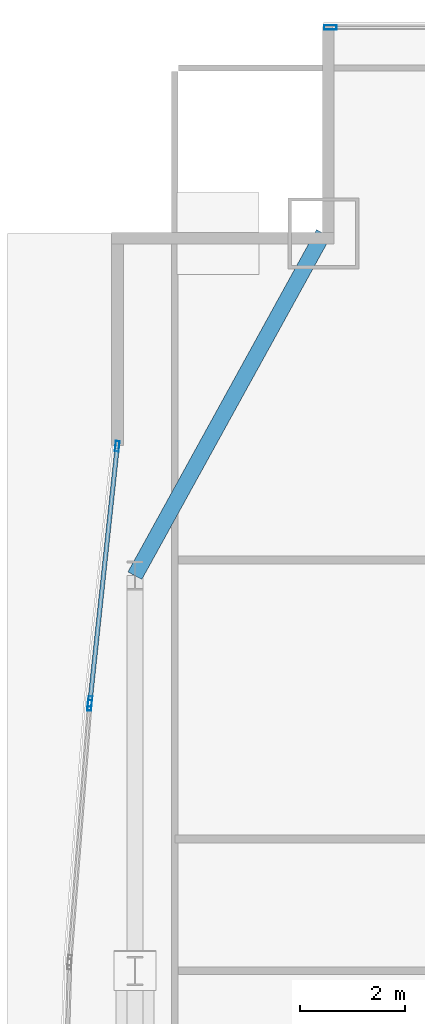
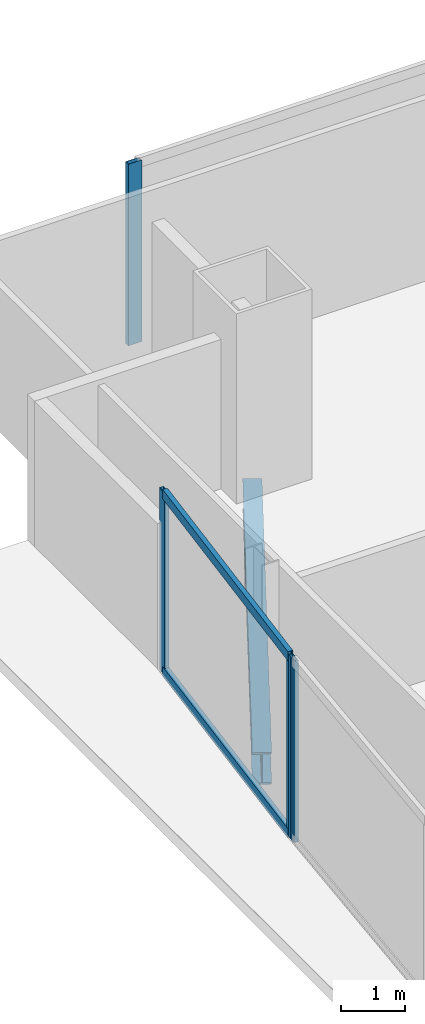
# One storey, part 16 of 30: 6 members, 1 beam, 3 elements without a shape of their own.
"""IFC4 building model written with IfcOpenShell, lengths in metres."""

from ifc_helpers import new_model, si_unit, direction, frame, origin, origin_2d, place, context, subcontext, project, spatial, hollow_rectangle, i_section, extrude, material, material_profile, profile_set, type_object, element, aggregate, save


model = new_model("IFC4")

# Units and contexts
model_context = context("Model", 3, precision=1e-05, world=origin(), true_north=direction((0.0, 1.0)))
body_context = subcontext(model_context, "Body", "Model", "MODEL_VIEW")
ifc_project = project(units=[si_unit("LENGTHUNIT", "METRE"), si_unit("AREAUNIT", "SQUARE_METRE"), si_unit("VOLUMEUNIT", "CUBIC_METRE"), si_unit("PLANEANGLEUNIT", "RADIAN"), si_unit("MASSUNIT", "GRAM", prefix="KILO")], contexts=[model_context])

# Site, building, storey
site_placement = place(None, origin())
site = spatial("IfcSite", under=ifc_project, at=site_placement, CompositionType="ELEMENT")
building_placement = place(site_placement, origin())
building = spatial("IfcBuilding", under=site, at=building_placement, Name="Khoronbel Lancet Exchange", CompositionType="ELEMENT")
storey_placement = place(building_placement, frame((0.0, 0.0, 136.199951171875)))
storey = spatial("IfcBuildingStorey", under=building, at=storey_placement, Name="L33", CompositionType="ELEMENT", Elevation=136.199951171875)

# Beam
ifc_material_1 = material(Name="Steel S355", Category="steel")
ifc_material_profile_1 = material_profile(ifc_material_1, i_section(OverallWidth=0.300048828125, OverallDepth=0.60009765625, WebThickness=0.015380859375, FlangeThickness=0.030029296875, at=origin_2d()), Name="HEB 600")
ifc_profile_set_1 = profile_set([ifc_material_profile_1], Name="Steel S355")
beam_type = type_object("IfcBeamType", Name="BM-BSP2", PredefinedType="SPANDREL", material=ifc_profile_set_1)
beam_placement = place(storey_placement, frame((8.85009765625, 49.699951171875, -0.4599609375), z_axis=(-0.482444051088, -0.875926787791, 0.0), x_axis=(0.875926787791, -0.482444051088, 0.0)))
element("IfcBeam", 1, at=beam_placement, inside=storey, type_object=beam_type, Name="Level L33 perimeter spandrel beam SP14", PredefinedType="SPANDREL", context=body_context, shape_type="SweptSolid", body=[
    extrude(i_section(OverallWidth=0.300048828125, OverallDepth=0.60009765625, WebThickness=0.015380859375, FlangeThickness=0.030029296875, at=origin_2d()), origin(), (0.0, 0.0, 1.0), 7.420654296875),
])

# Curtain wall, member
ifc_material_2 = material(Name="Low-E Solar Control Insulating Glass", Category="glass")
curtain_wall_type_1 = type_object("IfcCurtainWallType", Name="CW-3", PredefinedType="NOTDEFINED", material=ifc_material_2)
curtain_wall_1_placement = place(storey_placement, origin())
curtain_wall_1 = element("IfcCurtainWall", 2, at=curtain_wall_1_placement, inside=storey, type_object=curtain_wall_type_1, Name="Unitised curtain wall CW-L33-NWFLK", PredefinedType="NOTDEFINED")
ifc_material_3 = material(Name="Bronze-Anodised Aluminium 6063-T6", Category="aluminium")
ifc_material_profile_2 = material_profile(ifc_material_3, hollow_rectangle(XDim=0.0849609375, YDim=0.239990234375, WallThickness=0.006103515625, at=origin_2d()), Name="ALU MULLION 85x240")
ifc_profile_set_2 = profile_set([ifc_material_profile_2], Name="Bronze-Anodised Aluminium 6063-T6")
member_type_1 = type_object("IfcMemberType", Name="MEM-CWM1", PredefinedType="MULLION", material=ifc_profile_set_2)
member_1_placement = place(storey_placement, frame((8.982421875, 53.610107421875, 0.0), z_axis=(0.0, 0.0, 1.0), x_axis=(0.0, -1.0, 0.0)))
member_1 = element("IfcMember", 3, at=member_1_placement, type_object=member_type_1, Name="CW3 mullion 2", PredefinedType="MULLION", context=body_context, shape_type="SweptSolid", body=[
    extrude(hollow_rectangle(XDim=0.0849609375, YDim=0.239990234375, WallThickness=0.006103515625, at=origin_2d()), origin(), (0.0, 0.0, 1.0), 3.43994140625),
])
aggregate(curtain_wall_1, [member_1])

curtain_wall_type_2 = type_object("IfcCurtainWallType", Name="CW-4", PredefinedType="NOTDEFINED", material=ifc_material_2)
curtain_wall_2_placement = place(storey_placement, origin())
curtain_wall_2 = element("IfcCurtainWall", 4, at=curtain_wall_2_placement, inside=storey, type_object=curtain_wall_type_2, Name="Unitised curtain wall CW-L33-E08", PredefinedType="NOTDEFINED")
ifc_material_profile_3 = material_profile(ifc_material_3, hollow_rectangle(XDim=0.074951171875, YDim=0.199951171875, WallThickness=0.0048828125, at=origin_2d()), Name="ALU MULLION 75x200")
ifc_profile_set_3 = profile_set([ifc_material_profile_3], Name="Bronze-Anodised Aluminium 6063-T6")
member_type_2 = type_object("IfcMemberType", Name="MEM-CWM2", PredefinedType="MULLION", material=ifc_profile_set_3)
member_2_placement = place(storey_placement, frame((4.41162109375, 40.737548828125, 0.0), z_axis=(0.0, 0.0, 1.0), x_axis=(-0.996959555693, 0.077920756627, 0.0)))
member_2 = element("IfcMember", 5, at=member_2_placement, type_object=member_type_2, Name="CW4 mullion 2", PredefinedType="MULLION", context=body_context, shape_type="SweptSolid", body=[
    extrude(hollow_rectangle(XDim=0.074951171875, YDim=0.199951171875, WallThickness=0.0048828125, at=origin_2d()), origin(), (0.0, 0.0, 1.0), 3.43994140625),
])
aggregate(curtain_wall_2, [member_2])

# Curtain wall, members
curtain_wall_3_placement = place(storey_placement, origin())
curtain_wall_3 = element("IfcCurtainWall", 6, at=curtain_wall_3_placement, inside=storey, type_object=curtain_wall_type_2, Name="Unitised curtain wall CW-L33-E09", PredefinedType="NOTDEFINED")
member_3_placement = place(storey_placement, frame((4.418701171875, 40.812255859375, 0.0), z_axis=(0.0, 0.0, 1.0), x_axis=(-0.994346859972, 0.106180610586, 0.0)))
member_3 = element("IfcMember", 7, at=member_3_placement, type_object=member_type_2, Name="CW4 mullion 1", PredefinedType="MULLION", context=body_context, shape_type="SweptSolid", body=[
    extrude(hollow_rectangle(XDim=0.074951171875, YDim=0.199951171875, WallThickness=0.0048828125, at=origin_2d()), origin(), (0.0, 0.0, 1.0), 3.43994140625),
])
member_4_placement = place(storey_placement, frame((4.93603515625, 45.657958984375, 0.0), z_axis=(0.0, 0.0, 1.0), x_axis=(-0.994346859972, 0.106180610586, 0.0)))
member_4 = element("IfcMember", 8, at=member_4_placement, type_object=member_type_2, Name="CW4 mullion 2", PredefinedType="MULLION", context=body_context, shape_type="SweptSolid", body=[
    extrude(hollow_rectangle(XDim=0.074951171875, YDim=0.199951171875, WallThickness=0.0048828125, at=origin_2d()), origin(), (0.0, 0.0, 1.0), 3.43994140625),
])
ifc_material_profile_4 = material_profile(ifc_material_3, hollow_rectangle(XDim=0.0849609375, YDim=0.179931640625, WallThickness=0.0048828125, at=origin_2d()), Name="ALU TRANSOM 85x180")
ifc_profile_set_4 = profile_set([ifc_material_profile_4], Name="Bronze-Anodised Aluminium 6063-T6")
member_type_3 = type_object("IfcMemberType", Name="MEM-CWT1", PredefinedType="USERDEFINED", material=ifc_profile_set_4)
member_5_placement = place(storey_placement, frame((4.422607421875, 40.849609375, 0.04248046875), z_axis=(0.106191761921, 0.994345669121, 0.0), x_axis=(-0.994345669121, 0.106191761921, 0.0)))
member_5 = element("IfcMember", 9, at=member_5_placement, type_object=member_type_3, Name="CW4 transom 1.1", ObjectType="TRANSOM", PredefinedType="USERDEFINED", context=body_context, shape_type="SweptSolid", body=[
    extrude(hollow_rectangle(XDim=0.0849609375, YDim=0.179931640625, WallThickness=0.0048828125, at=origin_2d()), origin(), (0.0, 0.0, 1.0), 4.798095703125),
])
member_6_placement = place(storey_placement, frame((4.422607421875, 40.849609375, 3.3974609375), z_axis=(0.106191761921, 0.994345669121, 0.0), x_axis=(-0.994345669121, 0.106191761921, 0.0)))
member_6 = element("IfcMember", 10, at=member_6_placement, type_object=member_type_3, Name="CW4 transom 1.2", ObjectType="TRANSOM", PredefinedType="USERDEFINED", context=body_context, shape_type="SweptSolid", body=[
    extrude(hollow_rectangle(XDim=0.0849609375, YDim=0.179931640625, WallThickness=0.0048828125, at=origin_2d()), origin(), (0.0, 0.0, 1.0), 4.798095703125),
])
aggregate(curtain_wall_3, [member_3, member_4, member_5, member_6])

save(model, "model.ifc")
